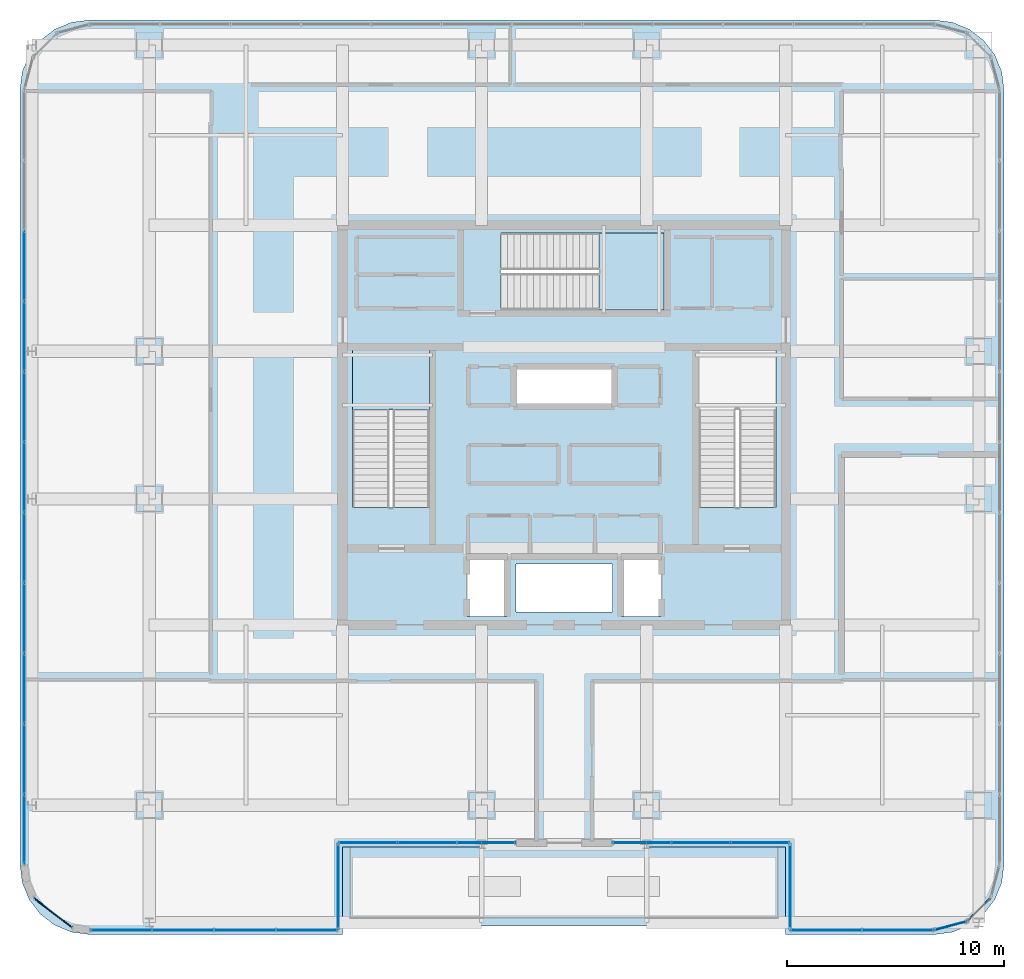
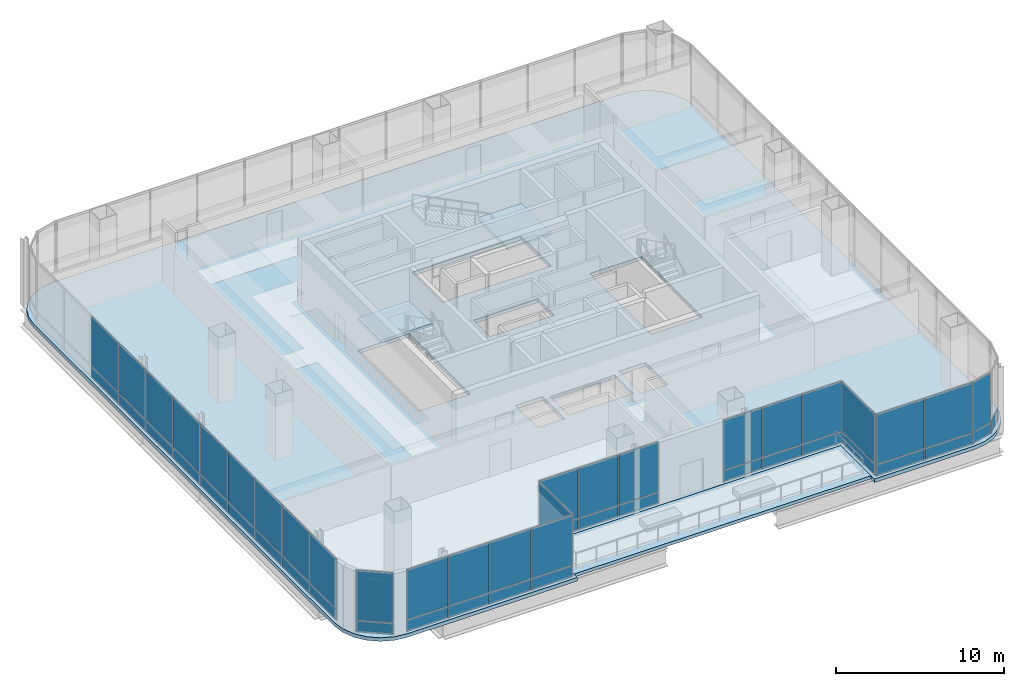
# One storey, part 34 of 44: 51 plates, 4 slabs, 12 elements without a shape of their own.
"""IFC4 building model written with IfcOpenShell, lengths in metres."""

from ifc_helpers import new_model, si_unit, direction, frame, origin, origin_2d, place, context, subcontext, project, spatial, polyline, rectangle, outline, extrude, material, layer, layer_set, type_object, element, aggregate, save


model = new_model("IFC4")

# Units and contexts
model_context = context("Model", 3, precision=1e-05, world=origin(), true_north=direction((0.0, 1.0)))
body_context = subcontext(model_context, "Body", "Model", "MODEL_VIEW")
ifc_project = project(units=[si_unit("LENGTHUNIT", "METRE"), si_unit("AREAUNIT", "SQUARE_METRE"), si_unit("VOLUMEUNIT", "CUBIC_METRE"), si_unit("PLANEANGLEUNIT", "RADIAN"), si_unit("MASSUNIT", "GRAM", prefix="KILO")], contexts=[model_context])

# Site, building, storey
site_placement = place(None, origin())
site = spatial("IfcSite", under=ifc_project, at=site_placement, CompositionType="ELEMENT")
building_placement = place(site_placement, origin())
building = spatial("IfcBuilding", under=site, at=building_placement, Name="Punatoya Terracotta Tower", CompositionType="ELEMENT")
storey_placement = place(building_placement, frame((0.0, 0.0, 334.199951171875)))
storey = spatial("IfcBuildingStorey", under=building, at=storey_placement, Name="L79", CompositionType="ELEMENT", Elevation=334.199951171875)

# Curtain wall, plates
ifc_material_1 = material(Name="Aluminium 6063-T6 + Double Low-E Glass", Category="aluminium")
curtain_wall_type = type_object("IfcCurtainWallType", Name="CW-OBS", PredefinedType="NOTDEFINED", material=ifc_material_1)
curtain_wall_1_placement = place(storey_placement, origin())
curtain_wall_1 = element("IfcCurtainWall", 1, at=curtain_wall_1_placement, inside=storey, type_object=curtain_wall_type, Name="L79 Curtain Wall CW-L79-S02-1", PredefinedType="NOTDEFINED")
ifc_material_2 = material(Name="Laminated Observation Low-Iron Glass", Category="glass")
ifc_layer_1 = layer(ifc_material_2, 0.0380859375)
ifc_layer_set_1 = layer_set([ifc_layer_1], Name="Laminated Observation Low-Iron Glass")
plate_type_1 = type_object("IfcPlateType", Name="PLT-GLZ-38", PredefinedType="CURTAIN_PANEL", material=ifc_layer_set_1)
plate_1_placement = place(storey_placement, frame((-20.4072265625, -23.25, 0.89013671875), z_axis=(0.0, 0.0, 1.0), x_axis=(1.0, 0.0, 0.0)))
plate_1 = element("IfcPlate", 2, at=plate_1_placement, type_object=plate_type_1, Name="CW-L79-S02-1 Vision Glass Panel 1", PredefinedType="CURTAIN_PANEL", context=body_context, shape_type="SweptSolid", body=[
    extrude(rectangle(XDim=2.774169921875, YDim=0.0380859375, at=origin_2d()), origin(), (0.0, 0.0, 1.0), 3.610107421875),
])
plate_2_placement = place(storey_placement, frame((-17.548095703125, -23.25, 0.89013671875), z_axis=(0.0, 0.0, 1.0), x_axis=(1.0, 0.0, 0.0)))
plate_2 = element("IfcPlate", 3, at=plate_2_placement, type_object=plate_type_1, Name="CW-L79-S02-1 Vision Glass Panel 2", PredefinedType="CURTAIN_PANEL", context=body_context, shape_type="SweptSolid", body=[
    extrude(rectangle(XDim=2.774169921875, YDim=0.0380859375, at=origin_2d()), origin(), (0.0, 0.0, 1.0), 3.610107421875),
])
plate_3_placement = place(storey_placement, frame((-14.688720703125, -23.25, 0.89013671875), z_axis=(0.0, 0.0, 1.0), x_axis=(1.0, 0.0, 0.0)))
plate_3 = element("IfcPlate", 4, at=plate_3_placement, type_object=plate_type_1, Name="CW-L79-S02-1 Vision Glass Panel 3", PredefinedType="CURTAIN_PANEL", context=body_context, shape_type="SweptSolid", body=[
    extrude(rectangle(XDim=2.774169921875, YDim=0.0380859375, at=origin_2d()), origin(), (0.0, 0.0, 1.0), 3.610107421875),
])
plate_4_placement = place(storey_placement, frame((-11.82958984375, -23.25, 0.89013671875), z_axis=(0.0, 0.0, 1.0), x_axis=(1.0, 0.0, 0.0)))
plate_4 = element("IfcPlate", 5, at=plate_4_placement, type_object=plate_type_1, Name="CW-L79-S02-1 Vision Glass Panel 4", PredefinedType="CURTAIN_PANEL", context=body_context, shape_type="SweptSolid", body=[
    extrude(rectangle(XDim=2.774169921875, YDim=0.0380859375, at=origin_2d()), origin(), (0.0, 0.0, 1.0), 3.610107421875),
])

# Curtain wall, plate
curtain_wall_2_placement = place(storey_placement, origin())
curtain_wall_2 = element("IfcCurtainWall", 6, at=curtain_wall_2_placement, inside=storey, type_object=curtain_wall_type, Name="L79 Curtain Wall CW-L79-E03-1", PredefinedType="NOTDEFINED")
plate_5_placement = place(storey_placement, frame((-10.39990234375, -21.239990234375, 0.89013671875), z_axis=(0.0, 0.0, 1.0), x_axis=(0.0, 1.0, 0.0)))
plate_5 = element("IfcPlate", 7, at=plate_5_placement, type_object=plate_type_1, Name="CW-L79-E03-1 Vision Glass Panel 1", PredefinedType="CURTAIN_PANEL", context=body_context, shape_type="SweptSolid", body=[
    extrude(rectangle(XDim=3.93505859375, YDim=0.0380859375, at=origin_2d()), origin(), (0.0, 0.0, 1.0), 3.610107421875),
])

# Curtain wall, plates
curtain_wall_3_placement = place(storey_placement, origin())
curtain_wall_3 = element("IfcCurtainWall", 8, at=curtain_wall_3_placement, inside=storey, type_object=curtain_wall_type, Name="L79 Curtain Wall CW-L79-S4A1", PredefinedType="NOTDEFINED")
plate_6_placement = place(storey_placement, frame((-9.033203125, -19.22998046875, 0.89013671875), z_axis=(0.0, 0.0, 1.0), x_axis=(1.0, 0.0, 0.0)))
plate_6 = element("IfcPlate", 9, at=plate_6_placement, type_object=plate_type_1, Name="CW-L79-S4A1 Vision Glass Panel 1", PredefinedType="CURTAIN_PANEL", context=body_context, shape_type="SweptSolid", body=[
    extrude(rectangle(XDim=2.648193359375, YDim=0.0380859375, at=origin_2d()), origin(), (0.0, 0.0, 1.0), 3.610107421875),
])
plate_7_placement = place(storey_placement, frame((-6.300048828125, -19.22998046875, 0.89013671875), z_axis=(0.0, 0.0, 1.0), x_axis=(1.0, 0.0, 0.0)))
plate_7 = element("IfcPlate", 10, at=plate_7_placement, type_object=plate_type_1, Name="CW-L79-S4A1 Vision Glass Panel 2", PredefinedType="CURTAIN_PANEL", context=body_context, shape_type="SweptSolid", body=[
    extrude(rectangle(XDim=2.648193359375, YDim=0.0380859375, at=origin_2d()), origin(), (0.0, 0.0, 1.0), 3.610107421875),
])
plate_8_placement = place(storey_placement, frame((-3.566650390625, -19.22998046875, 0.89013671875), z_axis=(0.0, 0.0, 1.0), x_axis=(1.0, 0.0, 0.0)))
plate_8 = element("IfcPlate", 11, at=plate_8_placement, type_object=plate_type_1, Name="CW-L79-S4A1 Vision Glass Panel 3", PredefinedType="CURTAIN_PANEL", context=body_context, shape_type="SweptSolid", body=[
    extrude(rectangle(XDim=2.648193359375, YDim=0.0380859375, at=origin_2d()), origin(), (0.0, 0.0, 1.0), 3.610107421875),
])

curtain_wall_4_placement = place(storey_placement, origin())
curtain_wall_4 = element("IfcCurtainWall", 12, at=curtain_wall_4_placement, inside=storey, type_object=curtain_wall_type, Name="L79 Curtain Wall CW-L79-S4B1", PredefinedType="NOTDEFINED")
plate_9_placement = place(storey_placement, frame((3.566650390625, -19.22998046875, 0.89013671875), z_axis=(0.0, 0.0, 1.0), x_axis=(1.0, 0.0, 0.0)))
plate_9 = element("IfcPlate", 13, at=plate_9_placement, type_object=plate_type_1, Name="CW-L79-S4B1 Vision Glass Panel 1", PredefinedType="CURTAIN_PANEL", context=body_context, shape_type="SweptSolid", body=[
    extrude(rectangle(XDim=2.648193359375, YDim=0.0380859375, at=origin_2d()), origin(), (0.0, 0.0, 1.0), 3.610107421875),
])
plate_10_placement = place(storey_placement, frame((6.300048828125, -19.22998046875, 0.89013671875), z_axis=(0.0, 0.0, 1.0), x_axis=(1.0, 0.0, 0.0)))
plate_10 = element("IfcPlate", 14, at=plate_10_placement, type_object=plate_type_1, Name="CW-L79-S4B1 Vision Glass Panel 2", PredefinedType="CURTAIN_PANEL", context=body_context, shape_type="SweptSolid", body=[
    extrude(rectangle(XDim=2.648193359375, YDim=0.0380859375, at=origin_2d()), origin(), (0.0, 0.0, 1.0), 3.610107421875),
])
plate_11_placement = place(storey_placement, frame((9.033203125, -19.22998046875, 0.89013671875), z_axis=(0.0, 0.0, 1.0), x_axis=(1.0, 0.0, 0.0)))
plate_11 = element("IfcPlate", 15, at=plate_11_placement, type_object=plate_type_1, Name="CW-L79-S4B1 Vision Glass Panel 3", PredefinedType="CURTAIN_PANEL", context=body_context, shape_type="SweptSolid", body=[
    extrude(rectangle(XDim=2.648193359375, YDim=0.0380859375, at=origin_2d()), origin(), (0.0, 0.0, 1.0), 3.610107421875),
])

# Curtain wall, plate
curtain_wall_5_placement = place(storey_placement, origin())
curtain_wall_5 = element("IfcCurtainWall", 16, at=curtain_wall_5_placement, inside=storey, type_object=curtain_wall_type, Name="L79 Curtain Wall CW-L79-W05-1", PredefinedType="NOTDEFINED")
plate_12_placement = place(storey_placement, frame((10.39990234375, -21.239990234375, 0.89013671875), z_axis=(0.0, 0.0, 1.0), x_axis=(0.0, -1.0, 0.0)))
plate_12 = element("IfcPlate", 17, at=plate_12_placement, type_object=plate_type_1, Name="CW-L79-W05-1 Vision Glass Panel 1", PredefinedType="CURTAIN_PANEL", context=body_context, shape_type="SweptSolid", body=[
    extrude(rectangle(XDim=3.93505859375, YDim=0.0380859375, at=origin_2d()), origin(), (0.0, 0.0, 1.0), 3.610107421875),
])

# Curtain wall, plates
curtain_wall_6_placement = place(storey_placement, origin())
curtain_wall_6 = element("IfcCurtainWall", 18, at=curtain_wall_6_placement, inside=storey, type_object=curtain_wall_type, Name="L79 Curtain Wall CW-L79-S06-1", PredefinedType="NOTDEFINED")
plate_13_placement = place(storey_placement, frame((12.05908203125, -23.25, 0.89013671875), z_axis=(0.0, 0.0, 1.0), x_axis=(1.0, 0.0, 0.0)))
plate_13 = element("IfcPlate", 19, at=plate_13_placement, type_object=plate_type_1, Name="CW-L79-S06-1 Vision Glass Panel 1", PredefinedType="CURTAIN_PANEL", context=body_context, shape_type="SweptSolid", body=[
    extrude(rectangle(XDim=3.2333984375, YDim=0.0380859375, at=origin_2d()), origin(), (0.0, 0.0, 1.0), 3.610107421875),
])
plate_14_placement = place(storey_placement, frame((15.377685546875, -23.25, 0.89013671875), z_axis=(0.0, 0.0, 1.0), x_axis=(1.0, 0.0, 0.0)))
plate_14 = element("IfcPlate", 20, at=plate_14_placement, type_object=plate_type_1, Name="CW-L79-S06-1 Vision Glass Panel 2", PredefinedType="CURTAIN_PANEL", context=body_context, shape_type="SweptSolid", body=[
    extrude(rectangle(XDim=3.2333984375, YDim=0.0380859375, at=origin_2d()), origin(), (0.0, 0.0, 1.0), 3.610107421875),
])

# Curtain wall, plate
curtain_wall_7_placement = place(storey_placement, origin())
curtain_wall_7 = element("IfcCurtainWall", 21, at=curtain_wall_7_placement, inside=storey, type_object=curtain_wall_type, Name="L79 Curtain Wall CW-L79-CRN07", PredefinedType="NOTDEFINED")
plate_15_placement = place(storey_placement, frame((17.79296875, -23.04833984375, 0.89013671875), z_axis=(0.0, 0.0, 1.0), x_axis=(0.966213877436, 0.257741620719, 0.0)))
plate_15 = element("IfcPlate", 22, at=plate_15_placement, type_object=plate_type_1, Name="CW-L79-CRN07 Vision Glass Panel 1", PredefinedType="CURTAIN_PANEL", context=body_context, shape_type="SweptSolid", body=[
    extrude(rectangle(XDim=1.47998046875, YDim=0.0380859375, at=origin_2d()), origin(), (0.0, 0.0, 1.0), 3.610107421875),
])

# Curtain wall, plates
curtain_wall_8_placement = place(storey_placement, origin())
curtain_wall_8 = element("IfcCurtainWall", 23, at=curtain_wall_8_placement, inside=storey, type_object=curtain_wall_type, Name="L79 Curtain Wall CW-L79-W18-1", PredefinedType="NOTDEFINED")
plate_16_placement = place(storey_placement, frame((-24.85009765625, 7.3291015625, 0.89013671875), z_axis=(0.0, 0.0, 1.0), x_axis=(0.0, -1.0, 0.0)))
plate_16 = element("IfcPlate", 24, at=plate_16_placement, type_object=plate_type_1, Name="CW-L79-W18-1 Vision Glass Panel 3", PredefinedType="CURTAIN_PANEL", context=body_context, shape_type="SweptSolid", body=[
    extrude(rectangle(XDim=3.158203125, YDim=0.0380859375, at=origin_2d()), origin(), (0.0, 0.0, 1.0), 3.610107421875),
])
plate_17_placement = place(storey_placement, frame((-24.85009765625, 4.086181640625, 0.89013671875), z_axis=(0.0, 0.0, 1.0), x_axis=(0.0, -1.0, 0.0)))
plate_17 = element("IfcPlate", 25, at=plate_17_placement, type_object=plate_type_1, Name="CW-L79-W18-1 Vision Glass Panel 4", PredefinedType="CURTAIN_PANEL", context=body_context, shape_type="SweptSolid", body=[
    extrude(rectangle(XDim=3.158203125, YDim=0.0380859375, at=origin_2d()), origin(), (0.0, 0.0, 1.0), 3.610107421875),
])
plate_18_placement = place(storey_placement, frame((-24.85009765625, 0.843017578125, 0.89013671875), z_axis=(0.0, 0.0, 1.0), x_axis=(0.0, -1.0, 0.0)))
plate_18 = element("IfcPlate", 26, at=plate_18_placement, type_object=plate_type_1, Name="CW-L79-W18-1 Vision Glass Panel 5", PredefinedType="CURTAIN_PANEL", context=body_context, shape_type="SweptSolid", body=[
    extrude(rectangle(XDim=3.158203125, YDim=0.0380859375, at=origin_2d()), origin(), (0.0, 0.0, 1.0), 3.610107421875),
])
plate_19_placement = place(storey_placement, frame((-24.85009765625, -2.39990234375, 0.89013671875), z_axis=(0.0, 0.0, 1.0), x_axis=(0.0, -1.0, 0.0)))
plate_19 = element("IfcPlate", 27, at=plate_19_placement, type_object=plate_type_1, Name="CW-L79-W18-1 Vision Glass Panel 6", PredefinedType="CURTAIN_PANEL", context=body_context, shape_type="SweptSolid", body=[
    extrude(rectangle(XDim=3.158203125, YDim=0.0380859375, at=origin_2d()), origin(), (0.0, 0.0, 1.0), 3.610107421875),
])
plate_20_placement = place(storey_placement, frame((-24.85009765625, -5.64306640625, 0.89013671875), z_axis=(0.0, 0.0, 1.0), x_axis=(0.0, -1.0, 0.0)))
plate_20 = element("IfcPlate", 28, at=plate_20_placement, type_object=plate_type_1, Name="CW-L79-W18-1 Vision Glass Panel 7", PredefinedType="CURTAIN_PANEL", context=body_context, shape_type="SweptSolid", body=[
    extrude(rectangle(XDim=3.158203125, YDim=0.0380859375, at=origin_2d()), origin(), (0.0, 0.0, 1.0), 3.610107421875),
])
plate_21_placement = place(storey_placement, frame((-24.85009765625, -8.885986328125, 0.89013671875), z_axis=(0.0, 0.0, 1.0), x_axis=(0.0, -1.0, 0.0)))
plate_21 = element("IfcPlate", 29, at=plate_21_placement, type_object=plate_type_1, Name="CW-L79-W18-1 Vision Glass Panel 8", PredefinedType="CURTAIN_PANEL", context=body_context, shape_type="SweptSolid", body=[
    extrude(rectangle(XDim=3.158203125, YDim=0.0380859375, at=origin_2d()), origin(), (0.0, 0.0, 1.0), 3.610107421875),
])
plate_22_placement = place(storey_placement, frame((-24.85009765625, -12.129150390625, 0.89013671875), z_axis=(0.0, 0.0, 1.0), x_axis=(0.0, -1.0, 0.0)))
plate_22 = element("IfcPlate", 30, at=plate_22_placement, type_object=plate_type_1, Name="CW-L79-W18-1 Vision Glass Panel 9", PredefinedType="CURTAIN_PANEL", context=body_context, shape_type="SweptSolid", body=[
    extrude(rectangle(XDim=3.158203125, YDim=0.0380859375, at=origin_2d()), origin(), (0.0, 0.0, 1.0), 3.610107421875),
])
plate_23_placement = place(storey_placement, frame((-24.85009765625, -15.372314453125, 0.89013671875), z_axis=(0.0, 0.0, 1.0), x_axis=(0.0, -1.0, 0.0)))
plate_23 = element("IfcPlate", 31, at=plate_23_placement, type_object=plate_type_1, Name="CW-L79-W18-1 Vision Glass Panel 10", PredefinedType="CURTAIN_PANEL", context=body_context, shape_type="SweptSolid", body=[
    extrude(rectangle(XDim=3.158203125, YDim=0.0380859375, at=origin_2d()), origin(), (0.0, 0.0, 1.0), 3.610107421875),
])
plate_24_placement = place(storey_placement, frame((-24.85009765625, -18.615478515625, 0.89013671875), z_axis=(0.0, 0.0, 1.0), x_axis=(0.0, -1.0, 0.0)))
plate_24 = element("IfcPlate", 32, at=plate_24_placement, type_object=plate_type_1, Name="CW-L79-W18-1 Vision Glass Panel 11", PredefinedType="CURTAIN_PANEL", context=body_context, shape_type="SweptSolid", body=[
    extrude(rectangle(XDim=3.158203125, YDim=0.0380859375, at=origin_2d()), origin(), (0.0, 0.0, 1.0), 3.610107421875),
])

# Curtain wall, plate
curtain_wall_9_placement = place(storey_placement, origin())
curtain_wall_9 = element("IfcCurtainWall", 33, at=curtain_wall_9_placement, inside=storey, type_object=curtain_wall_type, Name="L79 Curtain Wall CW-L79-CRN21", PredefinedType="NOTDEFINED")
plate_25_placement = place(storey_placement, frame((-23.536376953125, -22.447509765625, 0.89013671875), z_axis=(0.0, 0.0, 1.0), x_axis=(0.793350152813, -0.608765582989, 0.0)))
plate_25 = element("IfcPlate", 34, at=plate_25_placement, type_object=plate_type_1, Name="CW-L79-CRN21 Vision Glass Panel 1", PredefinedType="CURTAIN_PANEL", context=body_context, shape_type="SweptSolid", body=[
    extrude(rectangle(XDim=2.209716796875, YDim=0.0380859375, at=origin_2d()), origin(), (0.0, 0.0, 1.0), 3.610107421875),
])

# Plate
ifc_material_3 = material(Name="Insulated Terracotta-Backed Spandrel Panel", Category="masonry")
ifc_layer_2 = layer(ifc_material_3, 0.044921875)
ifc_layer_set_2 = layer_set([ifc_layer_2], Name="Insulated Terracotta-Backed Spandrel Panel")
plate_type_2 = type_object("IfcPlateType", Name="PLT-SPN-45", PredefinedType="CURTAIN_PANEL", material=ifc_layer_set_2)
plate_26_placement = place(storey_placement, frame((-20.4072265625, -23.25, 0.0400390625), z_axis=(0.0, 0.0, 1.0), x_axis=(1.0, 0.0, 0.0)))
plate_26 = element("IfcPlate", 35, at=plate_26_placement, type_object=plate_type_2, Name="CW-L79-S02-1 Terracotta Spandrel Panel 1", PredefinedType="CURTAIN_PANEL", context=body_context, shape_type="SweptSolid", body=[
    extrude(rectangle(XDim=2.774169921875, YDim=0.044921875, at=origin_2d()), origin(), (0.0, 0.0, 1.0), 0.77490234375),
])

plate_27_placement = place(storey_placement, frame((-17.548095703125, -23.25, 0.0400390625), z_axis=(0.0, 0.0, 1.0), x_axis=(1.0, 0.0, 0.0)))
plate_27 = element("IfcPlate", 36, at=plate_27_placement, type_object=plate_type_2, Name="CW-L79-S02-1 Terracotta Spandrel Panel 2", PredefinedType="CURTAIN_PANEL", context=body_context, shape_type="SweptSolid", body=[
    extrude(rectangle(XDim=2.774169921875, YDim=0.044921875, at=origin_2d()), origin(), (0.0, 0.0, 1.0), 0.77490234375),
])

plate_28_placement = place(storey_placement, frame((-14.688720703125, -23.25, 0.0400390625), z_axis=(0.0, 0.0, 1.0), x_axis=(1.0, 0.0, 0.0)))
plate_28 = element("IfcPlate", 37, at=plate_28_placement, type_object=plate_type_2, Name="CW-L79-S02-1 Terracotta Spandrel Panel 3", PredefinedType="CURTAIN_PANEL", context=body_context, shape_type="SweptSolid", body=[
    extrude(rectangle(XDim=2.774169921875, YDim=0.044921875, at=origin_2d()), origin(), (0.0, 0.0, 1.0), 0.77490234375),
])

plate_29_placement = place(storey_placement, frame((-11.82958984375, -23.25, 0.0400390625), z_axis=(0.0, 0.0, 1.0), x_axis=(1.0, 0.0, 0.0)))
plate_29 = element("IfcPlate", 38, at=plate_29_placement, type_object=plate_type_2, Name="CW-L79-S02-1 Terracotta Spandrel Panel 4", PredefinedType="CURTAIN_PANEL", context=body_context, shape_type="SweptSolid", body=[
    extrude(rectangle(XDim=2.774169921875, YDim=0.044921875, at=origin_2d()), origin(), (0.0, 0.0, 1.0), 0.77490234375),
])

aggregate(curtain_wall_1, [plate_26, plate_1, plate_27, plate_2, plate_28, plate_3, plate_29, plate_4])

plate_30_placement = place(storey_placement, frame((-10.39990234375, -21.239990234375, 0.0400390625), z_axis=(0.0, 0.0, 1.0), x_axis=(0.0, 1.0, 0.0)))
plate_30 = element("IfcPlate", 39, at=plate_30_placement, type_object=plate_type_2, Name="CW-L79-E03-1 Terracotta Spandrel Panel 1", PredefinedType="CURTAIN_PANEL", context=body_context, shape_type="SweptSolid", body=[
    extrude(rectangle(XDim=3.93505859375, YDim=0.044921875, at=origin_2d()), origin(), (0.0, 0.0, 1.0), 0.77490234375),
])

aggregate(curtain_wall_2, [plate_30, plate_5])

plate_31_placement = place(storey_placement, frame((-9.033203125, -19.22998046875, 0.0400390625), z_axis=(0.0, 0.0, 1.0), x_axis=(1.0, 0.0, 0.0)))
plate_31 = element("IfcPlate", 40, at=plate_31_placement, type_object=plate_type_2, Name="CW-L79-S4A1 Terracotta Spandrel Panel 1", PredefinedType="CURTAIN_PANEL", context=body_context, shape_type="SweptSolid", body=[
    extrude(rectangle(XDim=2.648193359375, YDim=0.044921875, at=origin_2d()), origin(), (0.0, 0.0, 1.0), 0.77490234375),
])

plate_32_placement = place(storey_placement, frame((-6.300048828125, -19.22998046875, 0.0400390625), z_axis=(0.0, 0.0, 1.0), x_axis=(1.0, 0.0, 0.0)))
plate_32 = element("IfcPlate", 41, at=plate_32_placement, type_object=plate_type_2, Name="CW-L79-S4A1 Terracotta Spandrel Panel 2", PredefinedType="CURTAIN_PANEL", context=body_context, shape_type="SweptSolid", body=[
    extrude(rectangle(XDim=2.648193359375, YDim=0.044921875, at=origin_2d()), origin(), (0.0, 0.0, 1.0), 0.77490234375),
])

plate_33_placement = place(storey_placement, frame((-3.566650390625, -19.22998046875, 0.0400390625), z_axis=(0.0, 0.0, 1.0), x_axis=(1.0, 0.0, 0.0)))
plate_33 = element("IfcPlate", 42, at=plate_33_placement, type_object=plate_type_2, Name="CW-L79-S4A1 Terracotta Spandrel Panel 3", PredefinedType="CURTAIN_PANEL", context=body_context, shape_type="SweptSolid", body=[
    extrude(rectangle(XDim=2.648193359375, YDim=0.044921875, at=origin_2d()), origin(), (0.0, 0.0, 1.0), 0.77490234375),
])

aggregate(curtain_wall_3, [plate_31, plate_6, plate_32, plate_7, plate_33, plate_8])

plate_34_placement = place(storey_placement, frame((3.566650390625, -19.22998046875, 0.0400390625), z_axis=(0.0, 0.0, 1.0), x_axis=(1.0, 0.0, 0.0)))
plate_34 = element("IfcPlate", 43, at=plate_34_placement, type_object=plate_type_2, Name="CW-L79-S4B1 Terracotta Spandrel Panel 1", PredefinedType="CURTAIN_PANEL", context=body_context, shape_type="SweptSolid", body=[
    extrude(rectangle(XDim=2.648193359375, YDim=0.044921875, at=origin_2d()), origin(), (0.0, 0.0, 1.0), 0.77490234375),
])

plate_35_placement = place(storey_placement, frame((6.300048828125, -19.22998046875, 0.0400390625), z_axis=(0.0, 0.0, 1.0), x_axis=(1.0, 0.0, 0.0)))
plate_35 = element("IfcPlate", 44, at=plate_35_placement, type_object=plate_type_2, Name="CW-L79-S4B1 Terracotta Spandrel Panel 2", PredefinedType="CURTAIN_PANEL", context=body_context, shape_type="SweptSolid", body=[
    extrude(rectangle(XDim=2.648193359375, YDim=0.044921875, at=origin_2d()), origin(), (0.0, 0.0, 1.0), 0.77490234375),
])

plate_36_placement = place(storey_placement, frame((9.033203125, -19.22998046875, 0.0400390625), z_axis=(0.0, 0.0, 1.0), x_axis=(1.0, 0.0, 0.0)))
plate_36 = element("IfcPlate", 45, at=plate_36_placement, type_object=plate_type_2, Name="CW-L79-S4B1 Terracotta Spandrel Panel 3", PredefinedType="CURTAIN_PANEL", context=body_context, shape_type="SweptSolid", body=[
    extrude(rectangle(XDim=2.648193359375, YDim=0.044921875, at=origin_2d()), origin(), (0.0, 0.0, 1.0), 0.77490234375),
])

aggregate(curtain_wall_4, [plate_34, plate_9, plate_35, plate_10, plate_36, plate_11])

plate_37_placement = place(storey_placement, frame((10.39990234375, -21.239990234375, 0.0400390625), z_axis=(0.0, 0.0, 1.0), x_axis=(0.0, -1.0, 0.0)))
plate_37 = element("IfcPlate", 46, at=plate_37_placement, type_object=plate_type_2, Name="CW-L79-W05-1 Terracotta Spandrel Panel 1", PredefinedType="CURTAIN_PANEL", context=body_context, shape_type="SweptSolid", body=[
    extrude(rectangle(XDim=3.93505859375, YDim=0.044921875, at=origin_2d()), origin(), (0.0, 0.0, 1.0), 0.77490234375),
])

aggregate(curtain_wall_5, [plate_37, plate_12])

plate_38_placement = place(storey_placement, frame((12.05908203125, -23.25, 0.0400390625), z_axis=(0.0, 0.0, 1.0), x_axis=(1.0, 0.0, 0.0)))
plate_38 = element("IfcPlate", 47, at=plate_38_placement, type_object=plate_type_2, Name="CW-L79-S06-1 Terracotta Spandrel Panel 1", PredefinedType="CURTAIN_PANEL", context=body_context, shape_type="SweptSolid", body=[
    extrude(rectangle(XDim=3.2333984375, YDim=0.044921875, at=origin_2d()), origin(), (0.0, 0.0, 1.0), 0.77490234375),
])

plate_39_placement = place(storey_placement, frame((15.377685546875, -23.25, 0.0400390625), z_axis=(0.0, 0.0, 1.0), x_axis=(1.0, 0.0, 0.0)))
plate_39 = element("IfcPlate", 48, at=plate_39_placement, type_object=plate_type_2, Name="CW-L79-S06-1 Terracotta Spandrel Panel 2", PredefinedType="CURTAIN_PANEL", context=body_context, shape_type="SweptSolid", body=[
    extrude(rectangle(XDim=3.2333984375, YDim=0.044921875, at=origin_2d()), origin(), (0.0, 0.0, 1.0), 0.77490234375),
])

aggregate(curtain_wall_6, [plate_38, plate_13, plate_39, plate_14])

plate_40_placement = place(storey_placement, frame((17.79296875, -23.04833984375, 0.0400390625), z_axis=(0.0, 0.0, 1.0), x_axis=(0.966213877436, 0.257741620719, 0.0)))
plate_40 = element("IfcPlate", 49, at=plate_40_placement, type_object=plate_type_2, Name="CW-L79-CRN07 Terracotta Spandrel Panel 1", PredefinedType="CURTAIN_PANEL", context=body_context, shape_type="SweptSolid", body=[
    extrude(rectangle(XDim=1.47998046875, YDim=0.044921875, at=origin_2d()), origin(), (0.0, 0.0, 1.0), 0.77490234375),
])

aggregate(curtain_wall_7, [plate_40, plate_15])

# Curtain wall, plate
curtain_wall_10_placement = place(storey_placement, origin())
curtain_wall_10 = element("IfcCurtainWall", 50, at=curtain_wall_10_placement, inside=storey, type_object=curtain_wall_type, Name="L79 Curtain Wall CW-L79-CRN08", PredefinedType="NOTDEFINED")
plate_41_placement = place(storey_placement, frame((19.097900390625, -22.2978515625, 0.0400390625), z_axis=(0.0, 0.0, 1.0), x_axis=(0.707106781187, 0.707106781187, 0.0)))
plate_41 = element("IfcPlate", 51, at=plate_41_placement, type_object=plate_type_2, Name="CW-L79-CRN08 Terracotta Spandrel Panel 1", PredefinedType="CURTAIN_PANEL", context=body_context, shape_type="SweptSolid", body=[
    extrude(rectangle(XDim=1.467041015625, YDim=0.044921875, at=origin_2d()), origin(), (0.0, 0.0, 1.0), 0.77490234375),
])
aggregate(curtain_wall_10, [plate_41])

# Plate
plate_42_placement = place(storey_placement, frame((-24.85009765625, 7.3291015625, 0.0400390625), z_axis=(0.0, 0.0, 1.0), x_axis=(0.0, -1.0, 0.0)))
plate_42 = element("IfcPlate", 52, at=plate_42_placement, type_object=plate_type_2, Name="CW-L79-W18-1 Terracotta Spandrel Panel 3", PredefinedType="CURTAIN_PANEL", context=body_context, shape_type="SweptSolid", body=[
    extrude(rectangle(XDim=3.158203125, YDim=0.044921875, at=origin_2d()), origin(), (0.0, 0.0, 1.0), 0.77490234375),
])

plate_43_placement = place(storey_placement, frame((-24.85009765625, 4.086181640625, 0.0400390625), z_axis=(0.0, 0.0, 1.0), x_axis=(0.0, -1.0, 0.0)))
plate_43 = element("IfcPlate", 53, at=plate_43_placement, type_object=plate_type_2, Name="CW-L79-W18-1 Terracotta Spandrel Panel 4", PredefinedType="CURTAIN_PANEL", context=body_context, shape_type="SweptSolid", body=[
    extrude(rectangle(XDim=3.158203125, YDim=0.044921875, at=origin_2d()), origin(), (0.0, 0.0, 1.0), 0.77490234375),
])

plate_44_placement = place(storey_placement, frame((-24.85009765625, 0.843017578125, 0.0400390625), z_axis=(0.0, 0.0, 1.0), x_axis=(0.0, -1.0, 0.0)))
plate_44 = element("IfcPlate", 54, at=plate_44_placement, type_object=plate_type_2, Name="CW-L79-W18-1 Terracotta Spandrel Panel 5", PredefinedType="CURTAIN_PANEL", context=body_context, shape_type="SweptSolid", body=[
    extrude(rectangle(XDim=3.158203125, YDim=0.044921875, at=origin_2d()), origin(), (0.0, 0.0, 1.0), 0.77490234375),
])

plate_45_placement = place(storey_placement, frame((-24.85009765625, -2.39990234375, 0.0400390625), z_axis=(0.0, 0.0, 1.0), x_axis=(0.0, -1.0, 0.0)))
plate_45 = element("IfcPlate", 55, at=plate_45_placement, type_object=plate_type_2, Name="CW-L79-W18-1 Terracotta Spandrel Panel 6", PredefinedType="CURTAIN_PANEL", context=body_context, shape_type="SweptSolid", body=[
    extrude(rectangle(XDim=3.158203125, YDim=0.044921875, at=origin_2d()), origin(), (0.0, 0.0, 1.0), 0.77490234375),
])

plate_46_placement = place(storey_placement, frame((-24.85009765625, -5.64306640625, 0.0400390625), z_axis=(0.0, 0.0, 1.0), x_axis=(0.0, -1.0, 0.0)))
plate_46 = element("IfcPlate", 56, at=plate_46_placement, type_object=plate_type_2, Name="CW-L79-W18-1 Terracotta Spandrel Panel 7", PredefinedType="CURTAIN_PANEL", context=body_context, shape_type="SweptSolid", body=[
    extrude(rectangle(XDim=3.158203125, YDim=0.044921875, at=origin_2d()), origin(), (0.0, 0.0, 1.0), 0.77490234375),
])

plate_47_placement = place(storey_placement, frame((-24.85009765625, -8.885986328125, 0.0400390625), z_axis=(0.0, 0.0, 1.0), x_axis=(0.0, -1.0, 0.0)))
plate_47 = element("IfcPlate", 57, at=plate_47_placement, type_object=plate_type_2, Name="CW-L79-W18-1 Terracotta Spandrel Panel 8", PredefinedType="CURTAIN_PANEL", context=body_context, shape_type="SweptSolid", body=[
    extrude(rectangle(XDim=3.158203125, YDim=0.044921875, at=origin_2d()), origin(), (0.0, 0.0, 1.0), 0.77490234375),
])

plate_48_placement = place(storey_placement, frame((-24.85009765625, -12.129150390625, 0.0400390625), z_axis=(0.0, 0.0, 1.0), x_axis=(0.0, -1.0, 0.0)))
plate_48 = element("IfcPlate", 58, at=plate_48_placement, type_object=plate_type_2, Name="CW-L79-W18-1 Terracotta Spandrel Panel 9", PredefinedType="CURTAIN_PANEL", context=body_context, shape_type="SweptSolid", body=[
    extrude(rectangle(XDim=3.158203125, YDim=0.044921875, at=origin_2d()), origin(), (0.0, 0.0, 1.0), 0.77490234375),
])

plate_49_placement = place(storey_placement, frame((-24.85009765625, -15.372314453125, 0.0400390625), z_axis=(0.0, 0.0, 1.0), x_axis=(0.0, -1.0, 0.0)))
plate_49 = element("IfcPlate", 59, at=plate_49_placement, type_object=plate_type_2, Name="CW-L79-W18-1 Terracotta Spandrel Panel 10", PredefinedType="CURTAIN_PANEL", context=body_context, shape_type="SweptSolid", body=[
    extrude(rectangle(XDim=3.158203125, YDim=0.044921875, at=origin_2d()), origin(), (0.0, 0.0, 1.0), 0.77490234375),
])

plate_50_placement = place(storey_placement, frame((-24.85009765625, -18.615478515625, 0.0400390625), z_axis=(0.0, 0.0, 1.0), x_axis=(0.0, -1.0, 0.0)))
plate_50 = element("IfcPlate", 60, at=plate_50_placement, type_object=plate_type_2, Name="CW-L79-W18-1 Terracotta Spandrel Panel 11", PredefinedType="CURTAIN_PANEL", context=body_context, shape_type="SweptSolid", body=[
    extrude(rectangle(XDim=3.158203125, YDim=0.044921875, at=origin_2d()), origin(), (0.0, 0.0, 1.0), 0.77490234375),
])

aggregate(curtain_wall_8, [plate_42, plate_16, plate_43, plate_17, plate_44, plate_18, plate_45, plate_19, plate_46, plate_20, plate_47, plate_21, plate_48, plate_22, plate_49, plate_23, plate_50, plate_24])

plate_51_placement = place(storey_placement, frame((-23.536376953125, -22.447509765625, 0.0400390625), z_axis=(0.0, 0.0, 1.0), x_axis=(0.793350152813, -0.608765582989, 0.0)))
plate_51 = element("IfcPlate", 61, at=plate_51_placement, type_object=plate_type_2, Name="CW-L79-CRN21 Terracotta Spandrel Panel 1", PredefinedType="CURTAIN_PANEL", context=body_context, shape_type="SweptSolid", body=[
    extrude(rectangle(XDim=2.209716796875, YDim=0.044921875, at=origin_2d()), origin(), (0.0, 0.0, 1.0), 0.77490234375),
])

aggregate(curtain_wall_9, [plate_51, plate_25])

# Stair, slab
ifc_material_4 = material(Name="Concrete C40/50", Category="concrete")
stair_type_1 = type_object("IfcStairType", Name="STR-TER-1450", PredefinedType="HALF_TURN_STAIR", material=ifc_material_4)
stair_1_placement = place(storey_placement, origin())
stair_1 = element("IfcStair", 62, at=stair_1_placement, inside=storey, type_object=stair_type_1, Name="L79 Protected Core Exit Stair ST-3", PredefinedType="HALF_TURN_STAIR")
ifc_layer_3 = layer(ifc_material_4, 0.1650390625)
ifc_layer_set_3 = layer_set([ifc_layer_3], Name="Concrete C40/50")
slab_type_1 = type_object("IfcSlabType", Name="SLB-LND-165", PredefinedType="LANDING", material=ifc_layer_set_3)
slab_1_placement = place(storey_placement, frame((0.0, 0.0, 2.199951171875)))
slab_1 = element("IfcSlab", 63, at=slab_1_placement, type_object=slab_type_1, Name="ST-3 landing 1", PredefinedType="LANDING", context=body_context, shape_type="SweptSolid", body=[
    extrude(outline(polyline([(1.60009765625, 5.300048828125), (4.60009765625, 5.300048828125), (4.60009765625, 8.85009765625), (1.60009765625, 8.85009765625), (1.60009765625, 5.300048828125)])), origin(), (0.0, 0.0, 1.0), 0.2001953125),
])
aggregate(stair_1, [slab_1])

stair_type_2 = type_object("IfcStairType", Name="STR-CORE-1550", PredefinedType="HALF_TURN_STAIR", material=ifc_material_4)
stair_2_placement = place(storey_placement, origin())
stair_2 = element("IfcStair", 64, at=stair_2_placement, inside=storey, type_object=stair_type_2, Name="L79 Protected Core Exit Stair ST-1", PredefinedType="HALF_TURN_STAIR")
ifc_layer_4 = layer(ifc_material_4, 0.179931640625)
ifc_layer_set_4 = layer_set([ifc_layer_4], Name="Concrete C40/50")
slab_type_2 = type_object("IfcSlabType", Name="SLB-LND-180", PredefinedType="LANDING", material=ifc_layer_set_4)
slab_2_placement = place(storey_placement, frame((0.0, 0.0, 2.199951171875)))
slab_2 = element("IfcSlab", 65, at=slab_2_placement, type_object=slab_type_2, Name="ST-1 landing 1", PredefinedType="LANDING", context=body_context, shape_type="SweptSolid", body=[
    extrude(outline(polyline([(-6.199951171875, 0.699951171875), (-6.199951171875, 3.449951171875), (-9.75, 3.449951171875), (-9.75, 0.699951171875), (-6.199951171875, 0.699951171875)])), origin(), (0.0, 0.0, 1.0), 0.2001953125),
])
aggregate(stair_2, [slab_2])

# Slabs
ifc_layer_5 = layer(ifc_material_4, 0.260009765625)
ifc_layer_set_5 = layer_set([ifc_layer_5], Name="Concrete C40/50")
slab_type_3 = type_object("IfcSlabType", Name="SLB-NCK-260", PredefinedType="FLOOR", material=ifc_layer_set_5)
slab_3_placement = place(storey_placement, frame((0.0, 0.0, -0.260009765625)))
element("IfcSlab", 66, at=slab_3_placement, inside=storey, type_object=slab_type_3, Name="L79 Structural Floor Slab", PredefinedType="FLOOR", context=body_context, shape_type="SweptSolid", body=[
    extrude(outline(polyline([(-22.67822265625, -23.341064453125), (-23.449951171875, -23.021240234375), (-24.11279296875, -22.5126953125), (-24.621337890625, -21.85009765625), (-24.94091796875, -21.078125), (-25.050048828125, -20.25), (-25.050048828125, 15.449951171875), (-24.94091796875, 16.2783203125), (-24.621337890625, 17.050048828125), (-24.11279296875, 17.712646484375), (-23.449951171875, 18.22119140625), (-22.67822265625, 18.541015625), (-21.85009765625, 18.64990234375), (17.050048828125, 18.64990234375), (17.878173828125, 18.541015625), (18.64990234375, 18.22119140625), (19.312744140625, 17.712646484375), (19.8212890625, 17.050048828125), (20.14111328125, 16.2783203125), (20.25, 15.449951171875), (20.25, -20.25), (20.14111328125, -21.078125), (19.8212890625, -21.85009765625), (19.312744140625, -22.5126953125), (18.64990234375, -23.021240234375), (17.878173828125, -23.341064453125), (17.050048828125, -23.449951171875), (10.199951171875, -23.449951171875), (10.199951171875, -19.429931640625), (-10.199951171875, -19.429931640625), (-10.199951171875, -23.449951171875), (-21.85009765625, -23.449951171875), (-22.67822265625, -23.341064453125)]), holes=[polyline([(-2.6298828125, -6.179931640625), (-4.469970703125, -6.179931640625), (-4.469970703125, -8.820068359375), (-2.6298828125, -8.820068359375), (-2.6298828125, -6.179931640625)]), polyline([(-0.02001953125, -6.405029296875), (-2.219970703125, -6.405029296875), (-2.219970703125, -8.594970703125), (-0.02001953125, -8.594970703125), (0.02001953125, -8.594970703125), (2.219970703125, -8.594970703125), (2.219970703125, -6.405029296875), (0.02001953125, -6.405029296875), (-0.02001953125, -6.405029296875)]), polyline([(4.469970703125, -6.179931640625), (2.6298828125, -6.179931640625), (2.6298828125, -8.820068359375), (4.469970703125, -8.820068359375), (4.469970703125, -6.179931640625)]), polyline([(-9.75, 3.449951171875), (-9.75, -3.79931640625), (-6.199951171875, -3.79931640625), (-6.199951171875, 3.449951171875), (-9.75, 3.449951171875)]), polyline([(6.199951171875, 3.449951171875), (6.199951171875, -3.79931640625), (9.75, -3.79931640625), (9.75, 3.449951171875), (6.199951171875, 3.449951171875)]), polyline([(-2.219970703125, 2.719970703125), (-2.219970703125, 0.780029296875), (-0.02001953125, 0.780029296875), (0.02001953125, 0.780029296875), (2.219970703125, 0.780029296875), (2.219970703125, 2.719970703125), (0.02001953125, 2.719970703125), (-0.02001953125, 2.719970703125), (-2.219970703125, 2.719970703125)]), polyline([(4.60009765625, 5.300048828125), (4.60009765625, 8.85009765625), (-2.899169921875, 8.85009765625), (-2.899169921875, 5.300048828125), (4.60009765625, 5.300048828125)])]), origin(), (0.0, 0.0, 1.0), 0.260009765625),
])
ifc_layer_6 = layer(ifc_material_4, 0.22998046875)
ifc_layer_set_6 = layer_set([ifc_layer_6], Name="Concrete C40/50")
slab_type_4 = type_object("IfcSlabType", Name="SLB-TER-230", PredefinedType="FLOOR", material=ifc_layer_set_6)
slab_4_placement = place(storey_placement, frame((0.0, 0.0, -0.22998046875)))
element("IfcSlab", 67, at=slab_4_placement, inside=storey, type_object=slab_type_4, Name="L79 Public Waterfront Lookout Terrace", PredefinedType="FLOOR", context=body_context, shape_type="SweptSolid", body=[
    extrude(outline(polyline([(-10.199951171875, -23.050048828125), (10.199951171875, -23.050048828125), (10.199951171875, -19.429931640625), (-10.199951171875, -19.429931640625), (-10.199951171875, -23.050048828125)])), origin(), (0.0, 0.0, 1.0), 0.22998046875),
])

save(model, "model.ifc")
